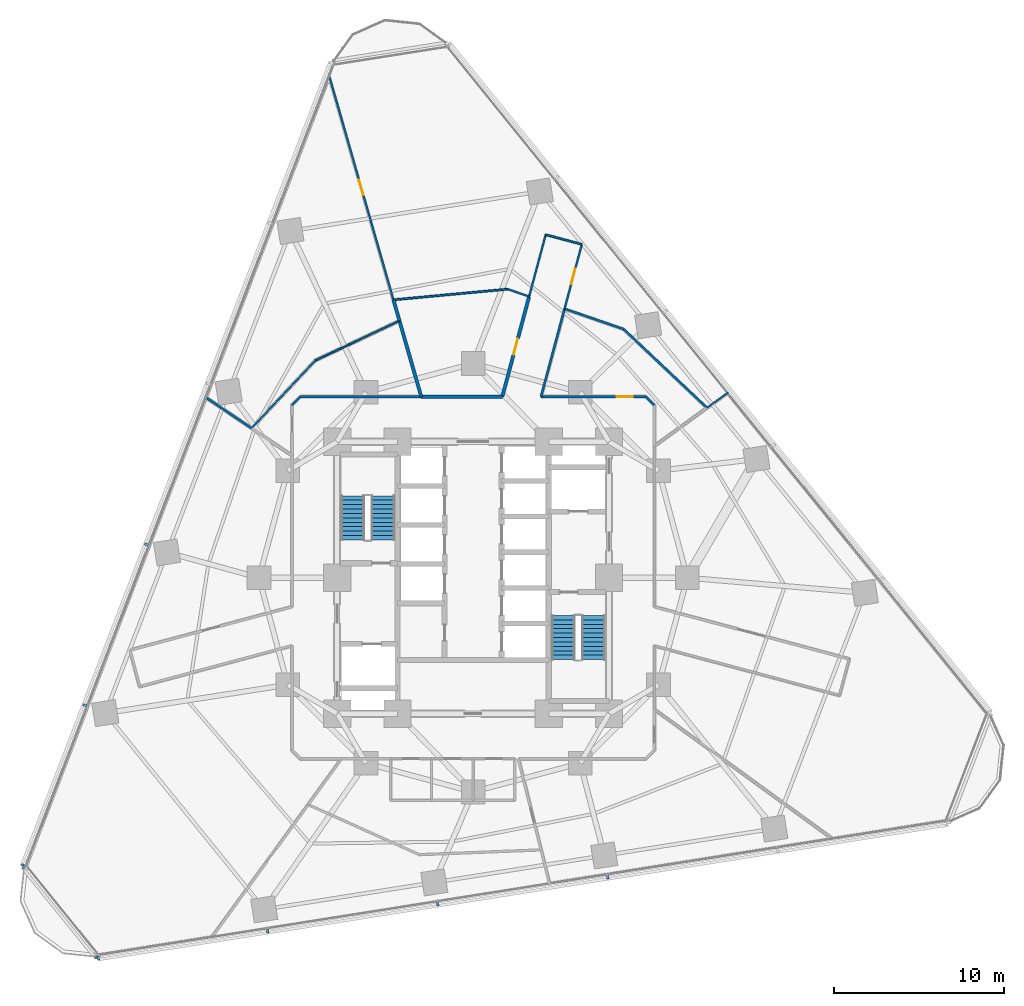
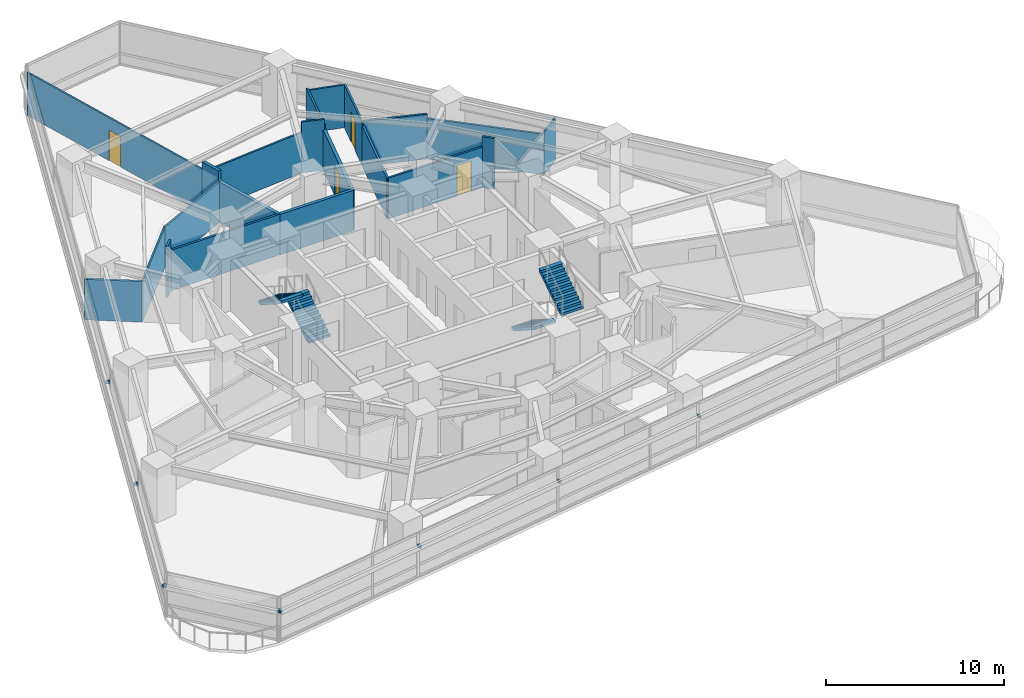
# One storey, part 9 of 13: 21 walls, 9 discrete accessories, 4 doors, 4 stair flights, 4 openings, 2 elements without a shape of their own.
"""IFC4 building model written with IfcOpenShell, lengths in metres."""

from ifc_helpers import new_model, si_unit, direction, frame, frame_2d, origin, origin_2d, place, context, subcontext, project, spatial, polyline, rectangle, outline, extrude, material, layer, layer_set, type_object, element, fill, aggregate, save


model = new_model("IFC4")

# Units and contexts
model_context = context("Model", 3, precision=1e-05, world=origin(), true_north=direction((0.0, 1.0)))
body_context = subcontext(model_context, "Body", "Model", "MODEL_VIEW")
ifc_project = project(units=[si_unit("LENGTHUNIT", "METRE"), si_unit("AREAUNIT", "SQUARE_METRE"), si_unit("VOLUMEUNIT", "CUBIC_METRE"), si_unit("PLANEANGLEUNIT", "RADIAN"), si_unit("MASSUNIT", "GRAM", prefix="KILO")], contexts=[model_context])

# Site, building, storey
site_placement = place(None, origin())
site = spatial("IfcSite", under=ifc_project, at=site_placement, CompositionType="ELEMENT")
building_placement = place(site_placement, origin())
building = spatial("IfcBuilding", under=site, at=building_placement, Name="Terralouvre Media Tower", CompositionType="ELEMENT")
storey_placement = place(building_placement, frame((0.0, 0.0, 59.300048828125)))
storey = spatial("IfcBuildingStorey", under=building, at=storey_placement, Name="L14", CompositionType="ELEMENT", Elevation=59.300048828125)

# Walls
ifc_material_1 = material(Name="Low-iron laminated double glazing with solar-control coating", Category="glass")
ifc_layer_1 = layer(ifc_material_1, 0.10009765625, Name="Demountable Glazed Office Partition PT-GL100")
ifc_layer_set_1 = layer_set([ifc_layer_1], Name="Low-iron laminated double glazing with solar-control coating")
wall_type_1 = type_object("IfcWallType", Name="Demountable Glazed Office Partition PT-GL100", PredefinedType="MOVABLE", material=ifc_layer_set_1)
wall_1_placement = place(storey_placement, frame((15.00244140625, 10.899658203125, 0.0), z_axis=(0.0, 0.0, 1.0), x_axis=(-0.809128115206, -0.587632277179, 0.0)))
element("IfcWall", 1, at=wall_1_placement, inside=storey, type_object=wall_type_1, Name="L14 Interior Partition 033", PredefinedType="MOVABLE", context=body_context, shape_type="SweptSolid", body=[
    extrude(rectangle(XDim=1.534423828125, YDim=0.10009765625, at=frame_2d((0.76708984375, 0.0))), origin(), (0.0, 0.0, 1.0), 2.925048828125),
])
wall_2_placement = place(storey_placement, frame((-13.0380859375, 8.794921875, 0.0), z_axis=(0.0, 0.0, 1.0), x_axis=(0.685214439986, 0.728341383716, 0.0)))
element("IfcWall", 2, at=wall_2_placement, inside=storey, type_object=wall_type_1, Name="L14 Interior Partition 057", PredefinedType="MOVABLE", context=body_context, shape_type="SweptSolid", body=[
    extrude(rectangle(XDim=5.47412109375, YDim=0.10009765625, at=frame_2d((2.737060546875, 0.0))), origin(), (0.0, 0.0, 1.0), 2.784912109375),
])
wall_3_placement = place(storey_placement, frame((-9.287109375, 12.781982421875, 0.0), z_axis=(0.0, 0.0, 1.0), x_axis=(0.904430294069, 0.4266214284, 0.0)))
element("IfcWall", 3, at=wall_3_placement, inside=storey, type_object=wall_type_1, Name="L14 Interior Partition 058", PredefinedType="MOVABLE", context=body_context, shape_type="SweptSolid", body=[
    extrude(rectangle(XDim=5.475341796875, YDim=0.10009765625, at=frame_2d((2.73779296875, 0.0))), origin(), (0.0, 0.0, 1.0), 2.784912109375),
])

# Wall, opening, door
ifc_material_2 = material(Name="Fire-rated gypsum board drywall partition")
ifc_layer_2 = layer(ifc_material_2, 0.199951171875, Name="Fire-Rated Shaft and Lobby Partition FW-200")
ifc_layer_set_2 = layer_set([ifc_layer_2], Name="Fire-rated gypsum board drywall partition")
wall_type_2 = type_object("IfcWallType", Name="Fire-Rated Shaft and Lobby Partition FW-200", PredefinedType="SOLIDWALL", material=ifc_layer_set_2)
wall_4_placement = place(storey_placement, frame((3.2939453125, 16.544921875, 0.0), z_axis=(0.0, 0.0, 1.0), x_axis=(-0.258710756328, -0.965954835673, 0.0)))
wall_4 = element("IfcWall", 4, at=wall_4_placement, inside=storey, type_object=wall_type_2, Name="L14 Interior Partition 020", PredefinedType="SOLIDWALL", context=body_context, shape_type="SweptSolid", body=[
    extrude(rectangle(XDim=6.102783203125, YDim=0.199951171875, at=frame_2d((3.05126953125, 0.0))), origin(), (0.0, 0.0, 1.0), 2.784912109375),
])
opening_1_placement = place(wall_4_placement, frame((2.576416015625, 0.0, 0.0)))
opening_1 = element("IfcOpeningElement", 5, at=opening_1_placement, cuts=wall_4, Name="Opening FD-02-95X210", PredefinedType="OPENING", context=body_context, shape_type="SweptSolid", body=[
    extrude(rectangle(XDim=0.949951171875, YDim=2.10009765625, at=frame_2d((0.47509765625, 1.050048828125))), frame((0.0, 0.10986328125, 0.0), z_axis=(0.0, -1.0, 0.0), x_axis=(1.0, 0.0, 0.0)), (0.0, 0.0, 1.0), 0.219970703125),
])
ifc_material_3 = material(Name="Galvanised steel fire-resisting leaf", Category="steel")
door_type_1 = type_object("IfcDoorType", Name="Plant and Riser Fire Door FD-02 (950x2100)", OperationType="NOTDEFINED", PredefinedType="DOOR", material=ifc_material_3)
door_1_placement = place(opening_1_placement, origin())
door_1 = element("IfcDoor", 6, at=door_1_placement, inside=storey, type_object=door_type_1, Name="L14 Render Cluster Server Room 5 Door", OperationType="SINGLE_SWING_RIGHT", OverallHeight=2.10009765625, OverallWidth=0.949951171875, PredefinedType="DOOR", context=body_context, shape_type="SweptSolid", body=[
    extrude(rectangle(XDim=0.949951171875, YDim=2.10009765625, at=frame_2d((0.47509765625, 1.050048828125))), frame((0.0, 0.02490234375, 0.0), z_axis=(0.0, -1.0, 0.0), x_axis=(1.0, 0.0, 0.0)), (0.0, 0.0, 1.0), 0.050048828125),
])
fill(opening_1, door_1)

# Walls
wall_5_placement = place(storey_placement, frame((1.715087890625, 10.64990234375, 0.0), z_axis=(0.0, 0.0, 1.0), x_axis=(-1.0, 0.0, 0.0)))
element("IfcWall", 7, at=wall_5_placement, inside=storey, type_object=wall_type_2, Name="L14 Interior Partition 021", PredefinedType="SOLIDWALL", context=body_context, shape_type="SweptSolid", body=[
    extrude(rectangle(XDim=4.76904296875, YDim=0.199951171875, at=frame_2d((2.384521484375, 0.0))), origin(), (0.0, 0.0, 1.0), 2.784912109375),
])
wall_6_placement = place(storey_placement, frame((-4.68896484375, 16.35107421875, 0.0), z_axis=(0.0, 0.0, 1.0), x_axis=(0.275927308223, -0.961178506094, 0.0)))
element("IfcWall", 8, at=wall_6_placement, inside=storey, type_object=wall_type_2, Name="L14 Interior Partition 044", PredefinedType="SOLIDWALL", context=body_context, shape_type="SweptSolid", body=[
    extrude(rectangle(XDim=1.282958984375, YDim=0.199951171875, at=frame_2d((0.6416015625, 0.0))), origin(), (0.0, 0.0, 1.0), 3.5),
])
wall_7_placement = place(storey_placement, frame((-4.3349609375, 15.117919921875, 0.0), z_axis=(0.0, 0.0, 1.0), x_axis=(0.275602055924, -0.961271817318, 0.0)))
element("IfcWall", 9, at=wall_7_placement, inside=storey, type_object=wall_type_2, Name="L14 Interior Partition 045", PredefinedType="SOLIDWALL", context=body_context, shape_type="SweptSolid", body=[
    extrude(rectangle(XDim=4.64794921875, YDim=0.199951171875, at=frame_2d((2.323974609375, 0.0))), origin(), (0.0, 0.0, 1.0), 2.784912109375),
])
ifc_material_4 = material(Name="Fire-rated gypsum board drywall partition")
ifc_layer_3 = layer(ifc_material_4, 0.135009765625, Name="Newsroom Acoustic Partition PT-135")
ifc_layer_set_3 = layer_set([ifc_layer_3], Name="Fire-rated gypsum board drywall partition")
wall_type_3 = type_object("IfcWallType", Name="Newsroom Acoustic Partition PT-135", PredefinedType="PARTITIONING", material=ifc_layer_set_3)
wall_8_placement = place(storey_placement, frame((10.64990234375, 10.14990234375, 0.0), z_axis=(0.0, 0.0, 1.0), x_axis=(-0.707106781187, 0.707106781187, 0.0)))
element("IfcWall", 10, at=wall_8_placement, inside=storey, type_object=wall_type_3, Name="L14 Interior Partition 014", PredefinedType="PARTITIONING", context=body_context, shape_type="SweptSolid", body=[
    extrude(rectangle(XDim=0.70703125, YDim=0.135009765625, at=frame_2d((0.353515625, 0.0))), origin(), (0.0, 0.0, 1.0), 3.5),
])

# Wall, opening, door
wall_9_placement = place(storey_placement, frame((10.14990234375, 10.64990234375, 0.0), z_axis=(0.0, 0.0, 1.0), x_axis=(-1.0, 0.0, 0.0)))
wall_9 = element("IfcWall", 11, at=wall_9_placement, inside=storey, type_object=wall_type_3, Name="L14 Interior Partition 015", PredefinedType="PARTITIONING", context=body_context, shape_type="SweptSolid", body=[
    extrude(rectangle(XDim=6.157958984375, YDim=0.135009765625, at=frame_2d((3.0791015625, 0.0))), origin(), (0.0, 0.0, 1.0), 2.784912109375),
])
opening_2_placement = place(wall_9_placement, frame((0.756591796875, 0.0, 0.0)))
opening_2 = element("IfcOpeningElement", 12, at=opening_2_placement, cuts=wall_9, Name="Opening ID-02-95X210", PredefinedType="OPENING", context=body_context, shape_type="SweptSolid", body=[
    extrude(rectangle(XDim=0.949951171875, YDim=2.10009765625, at=frame_2d((0.47509765625, 1.050048828125))), frame((0.0, 0.077392578125, 0.0), z_axis=(0.0, -1.0, 0.0), x_axis=(1.0, 0.0, 0.0)), (0.0, 0.0, 1.0), 0.155029296875),
])
ifc_material_5 = material(Name="Engineered hardwood acoustic timber leaf", Category="wood")
door_type_2 = type_object("IfcDoorType", Name="Office and Meeting Room Door ID-02 (950x2100)", OperationType="NOTDEFINED", PredefinedType="DOOR", material=ifc_material_5)
door_2_placement = place(opening_2_placement, origin())
door_2 = element("IfcDoor", 13, at=door_2_placement, inside=storey, type_object=door_type_2, Name="L14 Staff Quiet Reading Club 3 Door", OperationType="SINGLE_SWING_RIGHT", OverallHeight=2.10009765625, OverallWidth=0.949951171875, PredefinedType="DOOR", context=body_context, shape_type="SweptSolid", body=[
    extrude(rectangle(XDim=0.949951171875, YDim=2.10009765625, at=frame_2d((0.47509765625, 1.050048828125))), frame((0.0, 0.02490234375, 0.0), z_axis=(0.0, -1.0, 0.0), x_axis=(1.0, 0.0, 0.0)), (0.0, 0.0, 1.0), 0.050048828125),
])
fill(opening_2, door_2)

# Walls
wall_10_placement = place(storey_placement, frame((3.991943359375, 10.64990234375, 0.0), z_axis=(0.0, 0.0, 1.0), x_axis=(0.258952377387, 0.965890090148, 0.0)))
element("IfcWall", 14, at=wall_10_placement, inside=storey, type_object=wall_type_3, Name="L14 Interior Partition 016", PredefinedType="PARTITIONING", context=body_context, shape_type="SweptSolid", body=[
    extrude(rectangle(XDim=5.35986328125, YDim=0.135009765625, at=frame_2d((2.679931640625, 0.0))), origin(), (0.0, 0.0, 1.0), 2.784912109375),
])
wall_11_placement = place(storey_placement, frame((-3.053955078125, 10.64990234375, 0.0), z_axis=(0.0, 0.0, 1.0), x_axis=(-1.0, 0.0, 0.0)))
element("IfcWall", 15, at=wall_11_placement, inside=storey, type_object=wall_type_3, Name="L14 Interior Partition 029", PredefinedType="PARTITIONING", context=body_context, shape_type="SweptSolid", body=[
    extrude(rectangle(XDim=7.095947265625, YDim=0.135009765625, at=frame_2d((3.5478515625, 0.0))), origin(), (0.0, 0.0, 1.0), 2.784912109375),
])
wall_12_placement = place(storey_placement, frame((-10.14990234375, 10.64990234375, 0.0), z_axis=(0.0, 0.0, 1.0), x_axis=(-0.707106781187, -0.707106781187, 0.0)))
element("IfcWall", 16, at=wall_12_placement, inside=storey, type_object=wall_type_3, Name="L14 Interior Partition 030", PredefinedType="PARTITIONING", context=body_context, shape_type="SweptSolid", body=[
    extrude(rectangle(XDim=0.70703125, YDim=0.135009765625, at=frame_2d((0.353515625, 0.0))), origin(), (0.0, 0.0, 1.0), 3.5),
])
wall_13_placement = place(storey_placement, frame((-13.0380859375, 8.794921875, 0.0), z_axis=(0.0, 0.0, 1.0), x_axis=(-0.829071326064, 0.559142858578, 0.0)))
element("IfcWall", 17, at=wall_13_placement, inside=storey, type_object=wall_type_3, Name="L14 Interior Partition 037", PredefinedType="PARTITIONING", context=body_context, shape_type="SweptSolid", body=[
    extrude(rectangle(XDim=3.278564453125, YDim=0.135009765625, at=frame_2d((1.63916015625, 0.0))), origin(), (0.0, 0.0, 1.0), 2.784912109375),
])
wall_14_placement = place(storey_placement, frame((13.760986328125, 9.998046875, 0.0), z_axis=(0.0, 0.0, 1.0), x_axis=(-0.727310898058, 0.68630813602, 0.0)))
element("IfcWall", 18, at=wall_14_placement, inside=storey, type_object=wall_type_3, Name="L14 Interior Partition 039", PredefinedType="PARTITIONING", context=body_context, shape_type="SweptSolid", body=[
    extrude(rectangle(XDim=6.752197265625, YDim=0.135009765625, at=frame_2d((3.3759765625, 0.0))), origin(), (0.0, 0.0, 1.0), 2.784912109375),
])
wall_15_placement = place(storey_placement, frame((8.85009765625, 14.632080078125, 0.0), z_axis=(0.0, 0.0, 1.0), x_axis=(-0.945524159467, 0.325551937275, 0.0)))
element("IfcWall", 19, at=wall_15_placement, inside=storey, type_object=wall_type_3, Name="L14 Interior Partition 040", PredefinedType="PARTITIONING", context=body_context, shape_type="SweptSolid", body=[
    extrude(rectangle(XDim=3.670166015625, YDim=0.135009765625, at=frame_2d((1.8349609375, 0.0))), origin(), (0.0, 0.0, 1.0), 3.0849609375),
])

# Wall, opening, door
ifc_material_6 = material(Name="Fire-rated gypsum board drywall partition")
ifc_layer_4 = layer(ifc_material_6, 0.114990234375, Name="Restroom and Pantry Partition PT-115")
ifc_layer_set_4 = layer_set([ifc_layer_4], Name="Fire-rated gypsum board drywall partition")
wall_type_4 = type_object("IfcWallType", Name="Restroom and Pantry Partition PT-115", PredefinedType="PARTITIONING", material=ifc_layer_set_4)
wall_16_placement = place(storey_placement, frame((5.3798828125, 15.826904296875, 0.0), z_axis=(0.0, 0.0, 1.0), x_axis=(0.258740236453, 0.965946939557, 0.0)))
wall_16 = element("IfcWall", 20, at=wall_16_placement, inside=storey, type_object=wall_type_4, Name="L14 Interior Partition 017", PredefinedType="PARTITIONING", context=body_context, shape_type="SweptSolid", body=[
    extrude(rectangle(XDim=3.919677734375, YDim=0.114990234375, at=frame_2d((1.9599609375, 0.0))), origin(), (0.0, 0.0, 1.0), 2.93505859375),
])
opening_3_placement = place(wall_16_placement, frame((1.484619140625, 0.0, 0.0)))
opening_3 = element("IfcOpeningElement", 21, at=opening_3_placement, cuts=wall_16, Name="Opening SD-01-95X210", PredefinedType="OPENING", context=body_context, shape_type="SweptSolid", body=[
    extrude(rectangle(XDim=0.949951171875, YDim=2.10009765625, at=frame_2d((0.47509765625, 1.050048828125))), frame((0.0, 0.0673828125, 0.0), z_axis=(0.0, -1.0, 0.0), x_axis=(1.0, 0.0, 0.0)), (0.0, 0.0, 1.0), 0.135009765625),
])
ifc_material_7 = material(Name="Anodised extruded aluminium 6063-T6", Category="aluminium")
door_type_3 = type_object("IfcDoorType", Name="Pantry Pocket Sliding Door SD-01 (950x2100)", OperationType="SLIDING_TO_LEFT", PredefinedType="DOOR", material=ifc_material_7)
door_3_placement = place(opening_3_placement, origin())
door_3 = element("IfcDoor", 22, at=door_3_placement, inside=storey, type_object=door_type_3, Name="L14 Barista Coffee Tea Pantry 4 Door", OperationType="SLIDING_TO_LEFT", OverallHeight=2.10009765625, OverallWidth=0.949951171875, PredefinedType="DOOR", context=body_context, shape_type="SweptSolid", body=[
    extrude(rectangle(XDim=0.949951171875, YDim=2.10009765625, at=frame_2d((0.47509765625, 1.050048828125))), frame((0.0, 0.02490234375, 0.0), z_axis=(0.0, -1.0, 0.0), x_axis=(1.0, 0.0, 0.0)), (0.0, 0.0, 1.0), 0.050048828125),
])
fill(opening_3, door_3)

# Walls
wall_17_placement = place(storey_placement, frame((6.39404296875, 19.613037109375, 0.0), z_axis=(0.0, 0.0, 1.0), x_axis=(-0.965848933329, 0.259105843213, 0.0)))
element("IfcWall", 23, at=wall_17_placement, inside=storey, type_object=wall_type_4, Name="L14 Interior Partition 018", PredefinedType="PARTITIONING", context=body_context, shape_type="SweptSolid", body=[
    extrude(rectangle(XDim=2.2001953125, YDim=0.114990234375, at=frame_2d((1.10009765625, 0.0))), origin(), (0.0, 0.0, 1.0), 2.93505859375),
])
wall_18_placement = place(storey_placement, frame((4.26904296875, 20.18310546875, 0.0), z_axis=(0.0, 0.0, 1.0), x_axis=(-0.258880798168, -0.965909277489, 0.0)))
element("IfcWall", 24, at=wall_18_placement, inside=storey, type_object=wall_type_4, Name="L14 Interior Partition 019", PredefinedType="PARTITIONING", context=body_context, shape_type="SweptSolid", body=[
    extrude(rectangle(XDim=3.7666015625, YDim=0.114990234375, at=frame_2d((1.88330078125, 0.0))), origin(), (0.0, 0.0, 1.0), 3.0849609375),
])
wall_19_placement = place(storey_placement, frame((-4.68896484375, 16.35107421875, 0.0), z_axis=(0.0, 0.0, 1.0), x_axis=(0.995667654368, 0.092983450384, 0.0)))
element("IfcWall", 25, at=wall_19_placement, inside=storey, type_object=wall_type_4, Name="L14 Interior Partition 041", PredefinedType="PARTITIONING", context=body_context, shape_type="SweptSolid", body=[
    extrude(rectangle(XDim=6.753173828125, YDim=0.114990234375, at=frame_2d((3.37646484375, 0.0))), origin(), (0.0, 0.0, 1.0), 2.784912109375),
])
wall_20_placement = place(storey_placement, frame((2.034912109375, 16.97900390625, 0.0), z_axis=(0.0, 0.0, 1.0), x_axis=(0.945388565789, -0.325945485742, 0.0)))
element("IfcWall", 26, at=wall_20_placement, inside=storey, type_object=wall_type_4, Name="L14 Interior Partition 042", PredefinedType="PARTITIONING", context=body_context, shape_type="SweptSolid", body=[
    extrude(rectangle(XDim=1.331787109375, YDim=0.114990234375, at=frame_2d((0.666015625, 0.0))), origin(), (0.0, 0.0, 1.0), 3.5),
])

# Wall, opening, door
wall_21_placement = place(storey_placement, frame((-8.4814453125, 29.57958984375, 0.0), z_axis=(0.0, 0.0, 1.0), x_axis=(0.275587979828, -0.961275852903, 0.0)))
wall_21 = element("IfcWall", 27, at=wall_21_placement, inside=storey, type_object=wall_type_4, Name="L14 Interior Partition 043", PredefinedType="PARTITIONING", context=body_context, shape_type="SweptSolid", body=[
    extrude(rectangle(XDim=13.761474609375, YDim=0.114990234375, at=frame_2d((6.880859375, 0.0))), origin(), (0.0, 0.0, 1.0), 2.93505859375),
])
opening_4_placement = place(wall_21_placement, frame((6.420654296875, 0.0, 0.0)))
opening_4 = element("IfcOpeningElement", 28, at=opening_4_placement, cuts=wall_21, Name="Opening ID-03-92X210", PredefinedType="OPENING", context=body_context, shape_type="SweptSolid", body=[
    extrude(rectangle(XDim=0.919921875, YDim=2.10009765625, at=frame_2d((0.4599609375, 1.050048828125))), frame((0.0, 0.0673828125, 0.0), z_axis=(0.0, -1.0, 0.0), x_axis=(1.0, 0.0, 0.0)), (0.0, 0.0, 1.0), 0.135009765625),
])
ifc_material_8 = material(Name="Engineered hardwood acoustic timber leaf", Category="wood")
door_type_4 = type_object("IfcDoorType", Name="Accessible Restroom and Suite Door ID-03 (920x2100)", OperationType="NOTDEFINED", PredefinedType="DOOR", material=ifc_material_8)
door_4_placement = place(opening_4_placement, origin())
door_4 = element("IfcDoor", 29, at=door_4_placement, inside=storey, type_object=door_type_4, Name="L14 Product Roadmap Huddle Room 9 Door", OperationType="SINGLE_SWING_RIGHT", OverallHeight=2.10009765625, OverallWidth=0.919921875, PredefinedType="DOOR", context=body_context, shape_type="SweptSolid", body=[
    extrude(rectangle(XDim=0.919921875, YDim=2.10009765625, at=frame_2d((0.4599609375, 1.050048828125))), frame((0.0, 0.02490234375, 0.0), z_axis=(0.0, -1.0, 0.0), x_axis=(1.0, 0.0, 0.0)), (0.0, 0.0, 1.0), 0.050048828125),
])
fill(opening_4, door_4)

# Stair, stair flights
ifc_material_9 = material(Name="Concrete C45/55", Category="concrete")
stair_type_1 = type_object("IfcStairType", Name="Dogleg Stair Assembly ST-01", PredefinedType="HALF_TURN_STAIR", material=ifc_material_9)
stair_1_placement = place(storey_placement, origin())
stair_1 = element("IfcStair", 30, at=stair_1_placement, inside=storey, type_object=stair_type_1, Name="L14 Core Pressurised Exit Stair ST-01", PredefinedType="HALF_TURN_STAIR")
ifc_material_10 = material(Name="Concrete C45/55", Category="concrete")
stair_flight_type = type_object("IfcStairFlightType", Name="Reinforced Concrete Stair Flight SF-RC1", PredefinedType="STRAIGHT", material=ifc_material_10)
stair_flight_1_placement = place(storey_placement, frame((-5.300048828125, 2.219970703125, 0.0), z_axis=(0.0, 0.0, 1.0), x_axis=(0.0, 1.0, 0.0)))
stair_flight_1 = element("IfcStairFlight", 31, at=stair_flight_1_placement, type_object=stair_flight_type, Name="ST-01 flight 1", NumberOfRisers=11, NumberOfTreads=10, PredefinedType="STRAIGHT", RiserHeight=0.168181818, TreadLength=0.26, context=body_context, shape_type="SweptSolid", body=[
    extrude(outline(polyline([(0.0, 0.0), (0.0, 0.168212890625), (0.260009765625, 0.168212890625), (0.260009765625, 0.33642578125), (0.52001953125, 0.33642578125), (0.52001953125, 0.504638671875), (0.780029296875, 0.504638671875), (0.780029296875, 0.672607421875), (1.0400390625, 0.672607421875), (1.0400390625, 0.8408203125), (1.300048828125, 0.8408203125), (1.300048828125, 1.009033203125), (1.56005859375, 1.009033203125), (1.56005859375, 1.17724609375), (1.820068359375, 1.17724609375), (1.820068359375, 1.345458984375), (2.080078125, 1.345458984375), (2.080078125, 1.513671875), (2.340087890625, 1.513671875), (2.340087890625, 1.681884765625), (2.60009765625, 1.681884765625), (2.60009765625, 1.85009765625), (2.60009765625, 1.503173828125), (0.27587890625, 0.0), (0.0, 0.0)])), frame((0.0, 0.699951171875, 0.0), z_axis=(0.0, -1.0, 0.0), x_axis=(1.0, 0.0, 0.0)), (0.0, 0.0, 1.0), 1.39990234375),
])
stair_flight_2_placement = place(storey_placement, frame((-7.080078125, 4.820068359375, 1.849853515625), z_axis=(0.0, 0.0, 1.0), x_axis=(0.0, -1.0, 0.0)))
stair_flight_2 = element("IfcStairFlight", 32, at=stair_flight_2_placement, type_object=stair_flight_type, Name="ST-01 flight 2", NumberOfRisers=11, NumberOfTreads=10, PredefinedType="STRAIGHT", RiserHeight=0.168181818, TreadLength=0.26, context=body_context, shape_type="SweptSolid", body=[
    extrude(outline(polyline([(0.0, 0.0), (0.0, 0.168212890625), (0.260009765625, 0.168212890625), (0.260009765625, 0.33642578125), (0.52001953125, 0.33642578125), (0.52001953125, 0.504638671875), (0.780029296875, 0.504638671875), (0.780029296875, 0.672607421875), (1.0400390625, 0.672607421875), (1.0400390625, 0.8408203125), (1.300048828125, 0.8408203125), (1.300048828125, 1.009033203125), (1.56005859375, 1.009033203125), (1.56005859375, 1.17724609375), (1.820068359375, 1.17724609375), (1.820068359375, 1.345458984375), (2.080078125, 1.345458984375), (2.080078125, 1.513671875), (2.340087890625, 1.513671875), (2.340087890625, 1.681884765625), (2.60009765625, 1.681884765625), (2.60009765625, 1.85009765625), (2.60009765625, 1.503173828125), (0.27587890625, 0.0), (0.0, 0.0)])), frame((0.0, 0.699951171875, 0.0), z_axis=(0.0, -1.0, 0.0), x_axis=(1.0, 0.0, 0.0)), (0.0, 0.0, 1.0), 1.39990234375),
])
aggregate(stair_1, [stair_flight_1, stair_flight_2])

ifc_material_11 = material(Name="Concrete C45/55", Category="concrete")
stair_type_2 = type_object("IfcStairType", Name="Dogleg Stair Assembly ST-02", PredefinedType="HALF_TURN_STAIR", material=ifc_material_11)
stair_2_placement = place(storey_placement, origin())
stair_2 = element("IfcStair", 33, at=stair_2_placement, inside=storey, type_object=stair_type_2, Name="L14 Core Pressurised Exit Stair ST-02", PredefinedType="HALF_TURN_STAIR")
stair_flight_3_placement = place(storey_placement, frame((5.300048828125, -2.219970703125, 0.0), z_axis=(0.0, 0.0, 1.0), x_axis=(0.0, -1.0, 0.0)))
stair_flight_3 = element("IfcStairFlight", 34, at=stair_flight_3_placement, type_object=stair_flight_type, Name="ST-02 flight 1", NumberOfRisers=11, NumberOfTreads=10, PredefinedType="STRAIGHT", RiserHeight=0.168181818, TreadLength=0.26, context=body_context, shape_type="SweptSolid", body=[
    extrude(outline(polyline([(0.0, 0.0), (0.0, 0.168212890625), (0.260009765625, 0.168212890625), (0.260009765625, 0.33642578125), (0.52001953125, 0.33642578125), (0.52001953125, 0.504638671875), (0.780029296875, 0.504638671875), (0.780029296875, 0.672607421875), (1.0400390625, 0.672607421875), (1.0400390625, 0.8408203125), (1.300048828125, 0.8408203125), (1.300048828125, 1.009033203125), (1.56005859375, 1.009033203125), (1.56005859375, 1.17724609375), (1.820068359375, 1.17724609375), (1.820068359375, 1.345458984375), (2.080078125, 1.345458984375), (2.080078125, 1.513671875), (2.340087890625, 1.513671875), (2.340087890625, 1.681884765625), (2.60009765625, 1.681884765625), (2.60009765625, 1.85009765625), (2.60009765625, 1.503173828125), (0.27587890625, 0.0), (0.0, 0.0)])), frame((0.0, 0.699951171875, 0.0), z_axis=(0.0, -1.0, 0.0), x_axis=(1.0, 0.0, 0.0)), (0.0, 0.0, 1.0), 1.39990234375),
])
stair_flight_4_placement = place(storey_placement, frame((7.080078125, -4.820068359375, 1.849853515625), z_axis=(0.0, 0.0, 1.0), x_axis=(0.0, 1.0, 0.0)))
stair_flight_4 = element("IfcStairFlight", 35, at=stair_flight_4_placement, type_object=stair_flight_type, Name="ST-02 flight 2", NumberOfRisers=11, NumberOfTreads=10, PredefinedType="STRAIGHT", RiserHeight=0.168181818, TreadLength=0.26, context=body_context, shape_type="SweptSolid", body=[
    extrude(outline(polyline([(0.0, 0.0), (0.0, 0.168212890625), (0.260009765625, 0.168212890625), (0.260009765625, 0.33642578125), (0.52001953125, 0.33642578125), (0.52001953125, 0.504638671875), (0.780029296875, 0.504638671875), (0.780029296875, 0.672607421875), (1.0400390625, 0.672607421875), (1.0400390625, 0.8408203125), (1.300048828125, 0.8408203125), (1.300048828125, 1.009033203125), (1.56005859375, 1.009033203125), (1.56005859375, 1.17724609375), (1.820068359375, 1.17724609375), (1.820068359375, 1.345458984375), (2.080078125, 1.345458984375), (2.080078125, 1.513671875), (2.340087890625, 1.513671875), (2.340087890625, 1.681884765625), (2.60009765625, 1.681884765625), (2.60009765625, 1.85009765625), (2.60009765625, 1.503173828125), (0.27587890625, 0.0), (0.0, 0.0)])), frame((0.0, 0.699951171875, 0.0), z_axis=(0.0, -1.0, 0.0), x_axis=(1.0, 0.0, 0.0)), (0.0, 0.0, 1.0), 1.39990234375),
])
aggregate(stair_2, [stair_flight_3, stair_flight_4])

# Discrete accessories
ifc_material_12 = material(Name="Anodised extruded aluminium 6063-T6", Category="aluminium")
discrete_accessory_type = type_object("IfcDiscreteAccessoryType", Name="Mullion Stand-Off Baguette Fixing Bracket BK-01", PredefinedType="BRACKET", material=ifc_material_12)
for number, where, z_axis, x_axis, name in (
    (36, (-22.055419921875, -22.364013671875, 2.07421875), (0.0, 0.0, 1.0), (0.987688340934, 0.156434462903, 0.0), "CW-L14-F0 Baguette Outrigger Bracket 1.01"),
    (37, (-12.08935546875, -20.78564453125, 2.07421875), (0.0, 0.0, 1.0), (0.987688340934, 0.156434462903, 0.0), "CW-L14-F0 Baguette Outrigger Bracket 1.02"),
    (38, (-2.0859375, -19.201171875, 2.07421875), (0.0, 0.0, 1.0), (0.987688340934, 0.156434462903, 0.0), "CW-L14-F0 Baguette Outrigger Bracket 1.03"),
    (39, (7.91748046875, -17.616943359375, 2.07421875), (0.0, 0.0, 1.0), (0.987688340934, 0.156434462903, 0.0), "CW-L14-F0 Baguette Outrigger Bracket 1.04"),
    (40, (-19.21533203125, 1.951904296875, 2.07421875), (0.0, 0.0, 1.0), (-0.358367917006, -0.933580438988, 0.0), "CW-L14-F2 Baguette Outrigger Bracket 1.04"),
    (41, (-22.844970703125, -7.50341796875, 2.07421875), (0.0, 0.0, 1.0), (-0.358367917006, -0.933580438988, 0.0), "CW-L14-F2 Baguette Outrigger Bracket 1.05"),
    (42, (-26.4609375, -16.923828125, 2.07421875), (0.0, 0.0, 1.0), (-0.358367917006, -0.933580438988, 0.0), "CW-L14-F2 Baguette Outrigger Bracket 1.06"),
    (43, (-26.428955078125, -17.014892578125, 2.07421875), (0.0, 0.0, 1.0), (0.629320031936, -0.777146252262, 0.0), "CW-L14-C0 Baguette Outrigger Bracket 1.01"),
    (44, (-22.137939453125, -22.31396484375, 2.07421875), (0.0, 0.0, 1.0), (0.629320031936, -0.777146252262, 0.0), "CW-L14-C0 Baguette Outrigger Bracket 1.02"),
):
    element("IfcDiscreteAccessory", number, at=place(storey_placement, frame(where, z_axis=z_axis, x_axis=x_axis)), inside=storey, type_object=discrete_accessory_type, Name=name, PredefinedType="BRACKET", context=body_context, shape_type="SweptSolid", body=[
        extrude(rectangle(XDim=0.139892578125, YDim=0.239990234375, at=origin_2d()), origin(), (0.0, 0.0, 1.0), 0.179931640625),
    ])

save(model, "model.ifc")
